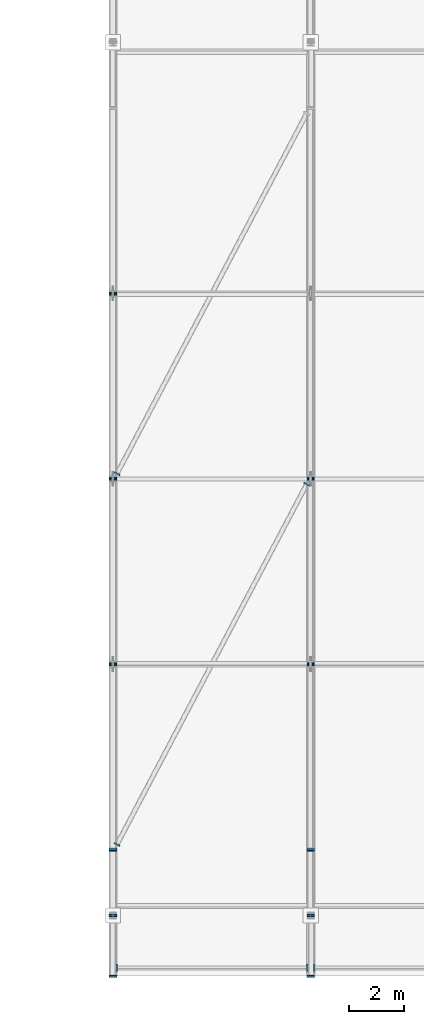
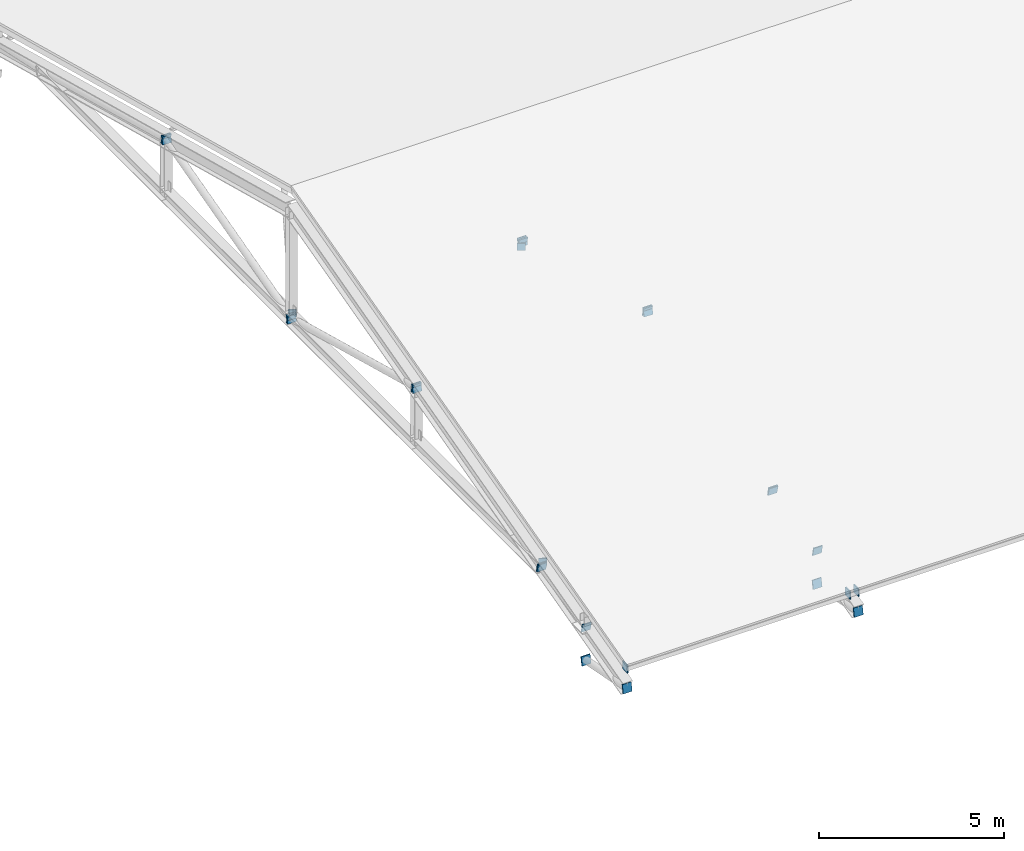
# One storey, part 39 of 57: 26 discrete accessories.
"""IFC4 building model written with IfcOpenShell, lengths in metres."""

from ifc_helpers import new_model, si_unit, direction, frame, origin, origin_2d, place, context, subcontext, project, spatial, rectangle, extrude, material, material_profile, profile_set, type_object, element, save


model = new_model("IFC4")

# Units and contexts
model_context = context("Model", 3, precision=1e-05, world=origin(), true_north=direction((0.0, 1.0)))
body_context = subcontext(model_context, "Body", "Model", "MODEL_VIEW")
ifc_project = project(units=[si_unit("LENGTHUNIT", "METRE"), si_unit("AREAUNIT", "SQUARE_METRE"), si_unit("VOLUMEUNIT", "CUBIC_METRE"), si_unit("PLANEANGLEUNIT", "RADIAN"), si_unit("MASSUNIT", "GRAM", prefix="KILO")], contexts=[model_context])

# Site, building, storey
site_placement = place(None, origin())
site = spatial("IfcSite", under=ifc_project, at=site_placement, CompositionType="ELEMENT")
building_placement = place(site_placement, origin())
building = spatial("IfcBuilding", under=site, at=building_placement, Name="Kelarvand Opera House", CompositionType="ELEMENT")
storey_placement = place(building_placement, frame((0.0, 0.0, 33.60009765625)))
storey = spatial("IfcBuildingStorey", under=building, at=storey_placement, Name="Roof", CompositionType="ELEMENT", Elevation=33.60009765625)

# Discrete accessories
ifc_material = material(Name="Steel S355", Category="steel")
ifc_material_profile_1 = material_profile(ifc_material, rectangle(XDim=0.22802734375, YDim=0.22802734375, at=origin_2d()), Name="Welded Steel Hollow End-Cap Plate 228x228x24", Category="steel")
ifc_profile_set_1 = profile_set([ifc_material_profile_1], Name="Steel S355")
discrete_accessory_type_1 = type_object("IfcDiscreteAccessoryType", Name="Welded Steel Hollow End-Cap Plate 228x228x24", PredefinedType="SHOE", material=ifc_profile_set_1)
for number, where, z_axis, x_axis, name in (
    (1, (59.353759765625, 49.20703125, 0.52001953125), (-0.468824003899, -0.883291601549, 0.0), (0.883291601549, -0.468824003899, 0.0), "Hollow Section Welded End Cap 521"),
    (2, (66.246337890625, 62.29296875, 0.52001953125), (0.4634975267, 0.886098212809, 0.0), (-0.886098212809, 0.4634975267, 0.0), "Hollow Section Welded End Cap 522"),
    (3, (59.353759765625, 62.70703125, 0.52001953125), (-0.468824003899, -0.883291601549, 0.0), (0.883291601549, -0.468824003899, 0.0), "Hollow Section Welded End Cap 523"),
):
    element("IfcDiscreteAccessory", number, at=place(storey_placement, frame(where, z_axis=z_axis, x_axis=x_axis)), inside=storey, type_object=discrete_accessory_type_1, Name=name, PredefinedType="SHOE", context=body_context, shape_type="SweptSolid", body=[
        extrude(rectangle(XDim=0.22802734375, YDim=0.22802734375, at=origin_2d()), origin(), (0.0, 0.0, 1.0), 0.035888671875),
    ])
ifc_material_profile_2 = material_profile(ifc_material, rectangle(XDim=0.260009765625, YDim=0.260009765625, at=origin_2d()), Name="Welded Steel Hollow End-Cap Plate 260x260x24", Category="steel")
ifc_profile_set_2 = profile_set([ifc_material_profile_2], Name="Steel S355")
discrete_accessory_type_2 = type_object("IfcDiscreteAccessoryType", Name="Welded Steel Hollow End-Cap Plate 260x260x24", PredefinedType="SHOE", material=ifc_profile_set_2)
discrete_accessory_1_placement = place(storey_placement, frame((59.347900390625, 44.699951171875, -0.21923828125), z_axis=(-1.0, 0.0, 0.0), x_axis=(0.0, -1.0, 0.0)))
element("IfcDiscreteAccessory", 4, at=discrete_accessory_1_placement, inside=storey, type_object=discrete_accessory_type_2, Name="Hollow Section Welded End Cap 517", PredefinedType="SHOE", context=body_context, shape_type="SweptSolid", body=[
    extrude(rectangle(XDim=0.260009765625, YDim=0.260009765625, at=origin_2d()), origin(), (0.0, 0.0, 1.0), 0.035888671875),
])
for number, where, z_axis, x_axis, name in (
    (5, (66.251953125, 44.699951171875, -0.21923828125), (1.0, 0.0, 0.0), (0.0, 1.0, 0.0), "Hollow Section Welded End Cap 518"),
    (6, (66.548095703125, 44.699951171875, -0.21923828125), (-1.0, 0.0, 0.0), (0.0, -1.0, 0.0), "Hollow Section Welded End Cap 525"),
):
    element("IfcDiscreteAccessory", number, at=place(storey_placement, frame(where, z_axis=z_axis, x_axis=x_axis)), inside=storey, type_object=discrete_accessory_type_2, Name=name, PredefinedType="SHOE", context=body_context, shape_type="SweptSolid", body=[
        extrude(rectangle(XDim=0.260009765625, YDim=0.260009765625, at=origin_2d()), origin(), (0.0, 0.0, 1.0), 0.0361328125),
    ])
ifc_material_profile_3 = material_profile(ifc_material, rectangle(XDim=0.279052734375, YDim=0.279052734375, at=origin_2d()), Name="Welded Steel Hollow End-Cap Plate 279x279x24", Category="steel")
ifc_profile_set_3 = profile_set([ifc_material_profile_3], Name="Steel S355")
discrete_accessory_type_3 = type_object("IfcDiscreteAccessoryType", Name="Welded Steel Hollow End-Cap Plate 279x279x24", PredefinedType="SHOE", material=ifc_profile_set_3)
for number, where, z_axis, x_axis, name in (
    (7, (59.199951171875, 46.592041015625, -1.0986328125), (0.0, 0.981861262275, -0.189600795474), (-1.0, 0.0, 0.0), "Hollow Section Welded End Cap 437"),
    (8, (59.199951171875, 44.407958984375, -0.677001953125), (0.0, -0.981861262275, 0.189600795474), (1.0, 0.0, 0.0), "Hollow Section Welded End Cap 438"),
    (9, (59.199951171875, 46.60791015625, 0.001708984375), (0.0, -0.976502936242, -0.215504096274), (1.0, 0.0, 0.0), "Hollow Section Welded End Cap 441"),
):
    element("IfcDiscreteAccessory", number, at=place(storey_placement, frame(where, z_axis=z_axis, x_axis=x_axis)), inside=storey, type_object=discrete_accessory_type_3, Name=name, PredefinedType="SHOE", context=body_context, shape_type="SweptSolid", body=[
        extrude(rectangle(XDim=0.279052734375, YDim=0.279052734375, at=origin_2d()), origin(), (0.0, 0.0, 1.0), 0.0361328125),
    ])
discrete_accessory_2_placement = place(storey_placement, frame((59.199951171875, 48.9921875, 0.518310546875), z_axis=(0.0, 0.977603274554, 0.210456260494), x_axis=(-1.0, 0.0, 0.0)))
element("IfcDiscreteAccessory", 10, at=discrete_accessory_2_placement, inside=storey, type_object=discrete_accessory_type_3, Name="Hollow Section Welded End Cap 442", PredefinedType="SHOE", context=body_context, shape_type="SweptSolid", body=[
    extrude(rectangle(XDim=0.279052734375, YDim=0.279052734375, at=origin_2d()), origin(), (0.0, 0.0, 1.0), 0.035888671875),
])
for number, where, z_axis, x_axis, name in (
    (11, (59.199951171875, 49.0078125, 0.52197265625), (0.0, -0.966458920361, -0.256821251564), (1.0, 0.0, 0.0), "Hollow Section Welded End Cap 445"),
    (12, (59.199951171875, 55.7421875, 2.33251953125), (0.0, 0.966458920361, 0.256821251564), (-1.0, 0.0, 0.0), "Hollow Section Welded End Cap 446"),
    (13, (59.199951171875, 55.7578125, 2.33251953125), (0.0, -0.966458920361, 0.256821251564), (1.0, 0.0, 0.0), "Hollow Section Welded End Cap 447"),
    (14, (59.199951171875, 62.4921875, 0.52197265625), (0.0, 0.966458920361, -0.256821251564), (-1.0, 0.0, 0.0), "Hollow Section Welded End Cap 448"),
    (15, (59.199951171875, 62.5078125, 0.52197265625), (0.0, -0.966458920361, -0.256821251564), (1.0, 0.0, 0.0), "Hollow Section Welded End Cap 449"),
    (16, (59.199951171875, 69.2421875, 2.33251953125), (0.0, 0.966458920361, 0.256821251564), (-1.0, 0.0, 0.0), "Hollow Section Welded End Cap 450"),
    (17, (59.199951171875, 69.2578125, 2.33251953125), (0.0, -0.966458920361, 0.256821251564), (1.0, 0.0, 0.0), "Hollow Section Welded End Cap 451"),
    (18, (66.39990234375, 46.592041015625, -1.0986328125), (0.0, 0.981861262275, -0.189600795474), (-1.0, 0.0, 0.0), "Hollow Section Welded End Cap 453"),
    (19, (66.39990234375, 44.407958984375, -0.677001953125), (0.0, -0.981861262275, 0.189600795474), (1.0, 0.0, 0.0), "Hollow Section Welded End Cap 454"),
    (20, (66.39990234375, 46.60791015625, 0.001708984375), (0.0, -0.976502936242, -0.215504096274), (1.0, 0.0, 0.0), "Hollow Section Welded End Cap 457"),
):
    element("IfcDiscreteAccessory", number, at=place(storey_placement, frame(where, z_axis=z_axis, x_axis=x_axis)), inside=storey, type_object=discrete_accessory_type_3, Name=name, PredefinedType="SHOE", context=body_context, shape_type="SweptSolid", body=[
        extrude(rectangle(XDim=0.279052734375, YDim=0.279052734375, at=origin_2d()), origin(), (0.0, 0.0, 1.0), 0.0361328125),
    ])
discrete_accessory_3_placement = place(storey_placement, frame((66.39990234375, 48.9921875, 0.518310546875), z_axis=(0.0, 0.977603274554, 0.210456260494), x_axis=(-1.0, 0.0, 0.0)))
element("IfcDiscreteAccessory", 21, at=discrete_accessory_3_placement, inside=storey, type_object=discrete_accessory_type_3, Name="Hollow Section Welded End Cap 458", PredefinedType="SHOE", context=body_context, shape_type="SweptSolid", body=[
    extrude(rectangle(XDim=0.279052734375, YDim=0.279052734375, at=origin_2d()), origin(), (0.0, 0.0, 1.0), 0.035888671875),
])
for number, where, z_axis, x_axis, name in (
    (22, (66.39990234375, 49.0078125, 0.52197265625), (0.0, -0.966458920361, -0.256821251564), (1.0, 0.0, 0.0), "Hollow Section Welded End Cap 461"),
    (23, (66.39990234375, 55.7421875, 2.33251953125), (0.0, 0.966458920361, 0.256821251564), (-1.0, 0.0, 0.0), "Hollow Section Welded End Cap 462"),
    (24, (66.39990234375, 55.7578125, 2.33251953125), (0.0, -0.966458920361, 0.256821251564), (1.0, 0.0, 0.0), "Hollow Section Welded End Cap 463"),
    (25, (66.39990234375, 62.4921875, 0.52197265625), (0.0, 0.966458920361, -0.256821251564), (-1.0, 0.0, 0.0), "Hollow Section Welded End Cap 464"),
    (26, (66.39990234375, 62.5078125, 0.52197265625), (0.0, -0.966458920361, -0.256821251564), (1.0, 0.0, 0.0), "Hollow Section Welded End Cap 465"),
):
    element("IfcDiscreteAccessory", number, at=place(storey_placement, frame(where, z_axis=z_axis, x_axis=x_axis)), inside=storey, type_object=discrete_accessory_type_3, Name=name, PredefinedType="SHOE", context=body_context, shape_type="SweptSolid", body=[
        extrude(rectangle(XDim=0.279052734375, YDim=0.279052734375, at=origin_2d()), origin(), (0.0, 0.0, 1.0), 0.0361328125),
    ])

save(model, "model.ifc")
